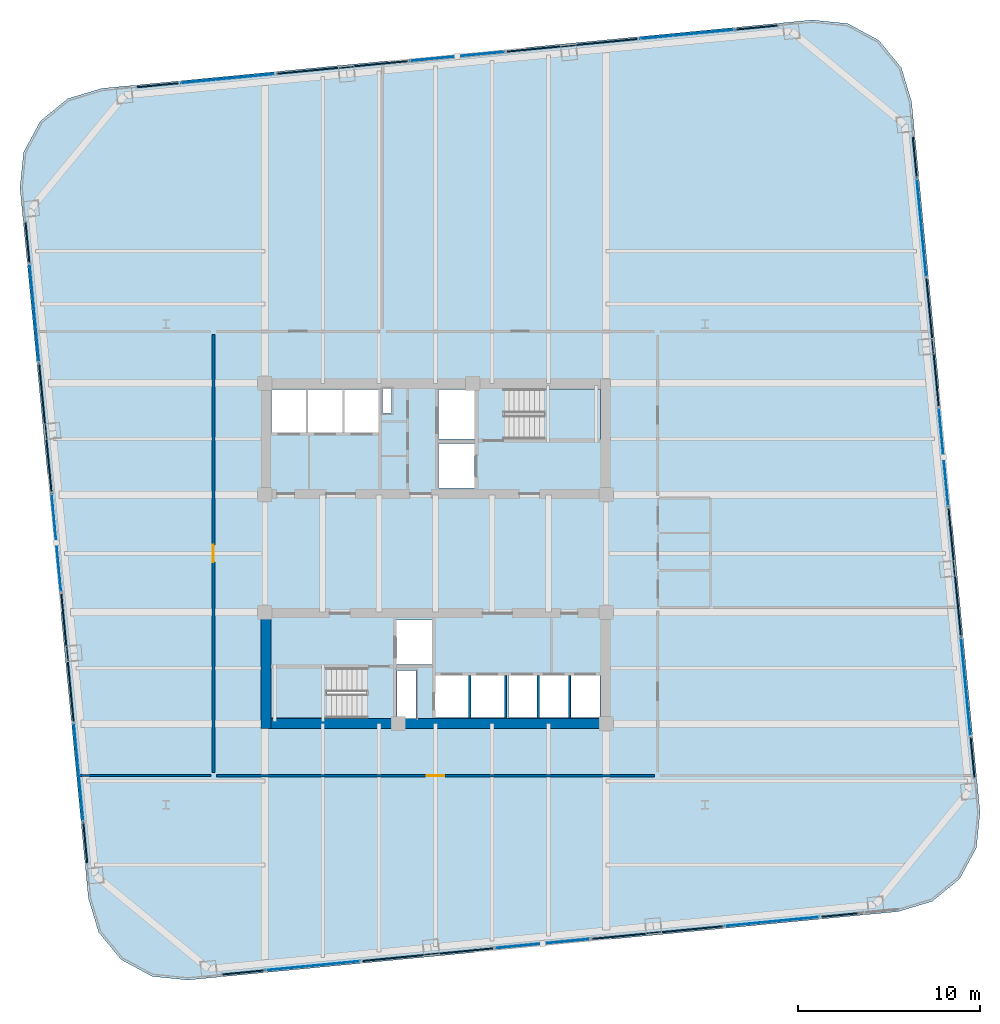
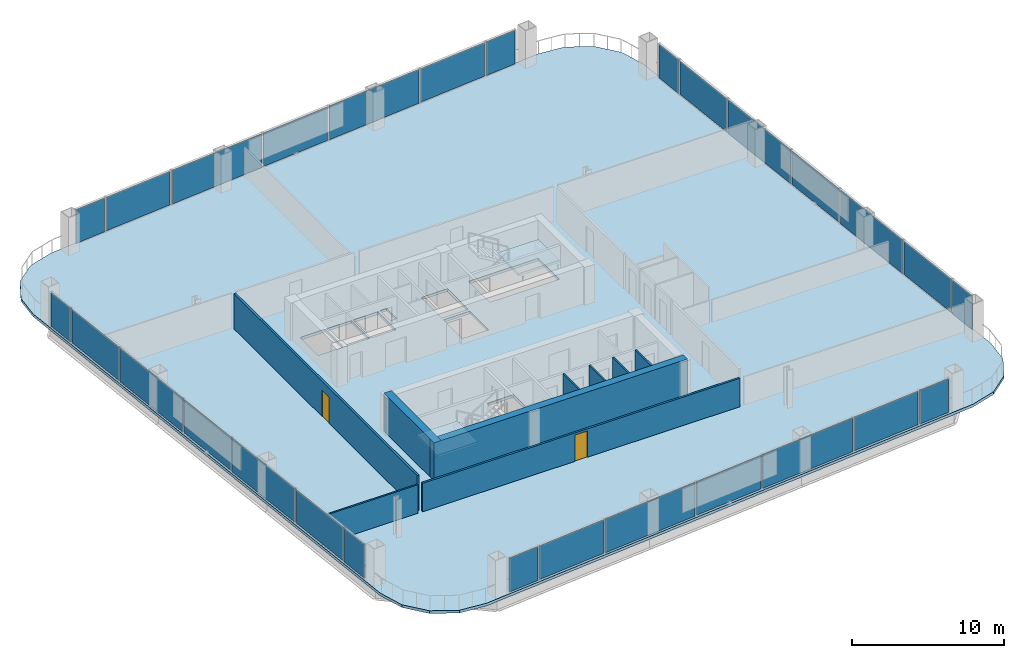
# One storey, part 21 of 26: 28 plates, 9 walls, 3 slabs, 2 doors, 2 openings, 30 elements without a shape of their own.
"""IFC4 building model written with IfcOpenShell, lengths in metres."""

from ifc_helpers import new_model, si_unit, direction, frame, frame_2d, origin, origin_2d, place, context, subcontext, project, spatial, polyline, rectangle, outline, extrude, material, layer, layer_set, type_object, element, fill, aggregate, save


model = new_model("IFC4")

# Units and contexts
model_context = context("Model", 3, precision=1e-05, world=origin(), true_north=direction((0.0, 1.0)))
body_context = subcontext(model_context, "Body", "Model", "MODEL_VIEW")
ifc_project = project(units=[si_unit("LENGTHUNIT", "METRE"), si_unit("AREAUNIT", "SQUARE_METRE"), si_unit("VOLUMEUNIT", "CUBIC_METRE"), si_unit("PLANEANGLEUNIT", "RADIAN"), si_unit("MASSUNIT", "GRAM", prefix="KILO")], contexts=[model_context])

# Site, building, storey
site_placement = place(None, origin())
site = spatial("IfcSite", under=ifc_project, at=site_placement, CompositionType="ELEMENT")
building_placement = place(site_placement, origin())
building = spatial("IfcBuilding", under=site, at=building_placement, Name="Qhalaya Broadcast Tower", CompositionType="ELEMENT")
storey_placement = place(building_placement, frame((0.0, 0.0, 72.5)))
storey = spatial("IfcBuildingStorey", under=building, at=storey_placement, Name="L20", CompositionType="ELEMENT", Elevation=72.5)

# Curtain wall, plate
ifc_material_1 = material(Name="Fired Architectural Terracotta", Category="masonry")
ifc_layer_1 = layer(ifc_material_1, 0.219970703125, Name="Fired Architectural Terracotta")
ifc_layer_set_1 = layer_set([ifc_layer_1], Name="Fired Architectural Terracotta")
curtain_wall_type_1 = type_object("IfcCurtainWallType", Name="Block-Cap Unitised Terracotta Spandrel Wall CW-07", PredefinedType="NOTDEFINED", material=ifc_layer_set_1)
curtain_wall_1_placement = place(storey_placement, origin())
curtain_wall_1 = element("IfcCurtainWall", 1, at=curtain_wall_1_placement, inside=storey, type_object=curtain_wall_type_1, Name="L20 Unitised Curtain Wall L20-CW-S1", PredefinedType="NOTDEFINED")
ifc_layer_2 = layer(ifc_material_1, 0.080078125, Name="Fired Architectural Terracotta")
ifc_layer_set_2 = layer_set([ifc_layer_2], Name="Fired Architectural Terracotta")
plate_type_1 = type_object("IfcPlateType", Name="Insulated Terracotta Spandrel Panel TSP-07", PredefinedType="CURTAIN_PANEL", material=ifc_layer_set_2)
plate_1_placement = place(storey_placement, frame((-10.572021484375, -22.412109375, 0.0751953125), z_axis=(0.0, 0.0, 1.0), x_axis=(0.99539620774, 0.09584565518, 0.0)))
plate_1 = element("IfcPlate", 2, at=plate_1_placement, type_object=plate_type_1, Name="CW-07 panel 1.1", PredefinedType="CURTAIN_PANEL", context=body_context, shape_type="SweptSolid", body=[
    extrude(rectangle(XDim=2.281005859375, YDim=0.080078125, at=origin_2d()), origin(), (0.0, 0.0, 1.0), 2.679931640625),
])
aggregate(curtain_wall_1, [plate_1])

curtain_wall_2_placement = place(storey_placement, origin())
curtain_wall_2 = element("IfcCurtainWall", 3, at=curtain_wall_2_placement, inside=storey, type_object=curtain_wall_type_1, Name="L20 Unitised Curtain Wall L20-CW-S3", PredefinedType="NOTDEFINED")
plate_2_placement = place(storey_placement, frame((-0.41796875, -21.434326171875, 0.0751953125), z_axis=(0.0, 0.0, 1.0), x_axis=(0.995396450907, 0.095843129762, 0.0)))
plate_2 = element("IfcPlate", 4, at=plate_2_placement, type_object=plate_type_1, Name="CW-07 panel 1.1", PredefinedType="CURTAIN_PANEL", context=body_context, shape_type="SweptSolid", body=[
    extrude(rectangle(XDim=7.2109375, YDim=0.080078125, at=origin_2d()), origin(), (0.0, 0.0, 1.0), 2.679931640625),
])
aggregate(curtain_wall_2, [plate_2])

curtain_wall_3_placement = place(storey_placement, origin())
curtain_wall_3 = element("IfcCurtainWall", 5, at=curtain_wall_3_placement, inside=storey, type_object=curtain_wall_type_1, Name="L20 Unitised Curtain Wall L20-CW-S5", PredefinedType="NOTDEFINED")
plate_3_placement = place(storey_placement, frame((12.190673828125, -20.22021484375, 0.0751953125), z_axis=(0.0, 0.0, 1.0), x_axis=(0.995396450907, 0.095843129762, 0.0)))
plate_3 = element("IfcPlate", 6, at=plate_3_placement, type_object=plate_type_1, Name="CW-07 panel 1.1", PredefinedType="CURTAIN_PANEL", context=body_context, shape_type="SweptSolid", body=[
    extrude(rectangle(XDim=7.2109375, YDim=0.080078125, at=origin_2d()), origin(), (0.0, 0.0, 1.0), 2.679931640625),
])
aggregate(curtain_wall_3, [plate_3])

curtain_wall_4_placement = place(storey_placement, origin())
curtain_wall_4 = element("IfcCurtainWall", 7, at=curtain_wall_4_placement, inside=storey, type_object=curtain_wall_type_1, Name="L20 Unitised Curtain Wall L20-CW-S7", PredefinedType="NOTDEFINED")
plate_4_placement = place(storey_placement, frame((22.3447265625, -19.242431640625, 0.0751953125), z_axis=(0.0, 0.0, 1.0), x_axis=(0.99539620774, 0.09584565518, 0.0)))
plate_4 = element("IfcPlate", 8, at=plate_4_placement, type_object=plate_type_1, Name="CW-07 panel 1.1", PredefinedType="CURTAIN_PANEL", context=body_context, shape_type="SweptSolid", body=[
    extrude(rectangle(XDim=2.281005859375, YDim=0.080078125, at=origin_2d()), origin(), (0.0, 0.0, 1.0), 2.679931640625),
])
aggregate(curtain_wall_4, [plate_4])

curtain_wall_5_placement = place(storey_placement, origin())
curtain_wall_5 = element("IfcCurtainWall", 9, at=curtain_wall_5_placement, inside=storey, type_object=curtain_wall_type_1, Name="L20 Unitised Curtain Wall L20-CW-E1", PredefinedType="NOTDEFINED")
plate_5_placement = place(storey_placement, frame((29.496337890625, -10.617431640625, 0.0751953125), z_axis=(0.0, 0.0, 1.0), x_axis=(-0.095855723819, 0.99539523819, 0.0)))
plate_5 = element("IfcPlate", 10, at=plate_5_placement, type_object=plate_type_1, Name="CW-07 panel 1.1", PredefinedType="CURTAIN_PANEL", context=body_context, shape_type="SweptSolid", body=[
    extrude(rectangle(XDim=2.18994140625, YDim=0.080078125, at=origin_2d()), origin(), (0.0, 0.0, 1.0), 2.679931640625),
])
aggregate(curtain_wall_5, [plate_5])

curtain_wall_6_placement = place(storey_placement, origin())
curtain_wall_6 = element("IfcCurtainWall", 11, at=curtain_wall_6_placement, inside=storey, type_object=curtain_wall_type_1, Name="L20 Unitised Curtain Wall L20-CW-E3", PredefinedType="NOTDEFINED")
plate_6_placement = place(storey_placement, frame((28.514404296875, -0.41796875, 0.0751953125), z_axis=(0.0, 0.0, 1.0), x_axis=(-0.095850652435, 0.995395726547, 0.0)))
plate_6 = element("IfcPlate", 12, at=plate_6_placement, type_object=plate_type_1, Name="CW-07 panel 1.1", PredefinedType="CURTAIN_PANEL", context=body_context, shape_type="SweptSolid", body=[
    extrude(rectangle(XDim=7.031005859375, YDim=0.080078125, at=origin_2d()), origin(), (0.0, 0.0, 1.0), 2.679931640625),
])
aggregate(curtain_wall_6, [plate_6])

curtain_wall_7_placement = place(storey_placement, origin())
curtain_wall_7 = element("IfcCurtainWall", 13, at=curtain_wall_7_placement, inside=storey, type_object=curtain_wall_type_1, Name="L20 Unitised Curtain Wall L20-CW-E5", PredefinedType="NOTDEFINED")
plate_7_placement = place(storey_placement, frame((27.30029296875, 12.190673828125, 0.0751953125), z_axis=(0.0, 0.0, 1.0), x_axis=(-0.095850652435, 0.995395726547, 0.0)))
plate_7 = element("IfcPlate", 14, at=plate_7_placement, type_object=plate_type_1, Name="CW-07 panel 1.1", PredefinedType="CURTAIN_PANEL", context=body_context, shape_type="SweptSolid", body=[
    extrude(rectangle(XDim=7.031005859375, YDim=0.080078125, at=origin_2d()), origin(), (0.0, 0.0, 1.0), 2.679931640625),
])
aggregate(curtain_wall_7, [plate_7])

curtain_wall_8_placement = place(storey_placement, origin())
curtain_wall_8 = element("IfcCurtainWall", 15, at=curtain_wall_8_placement, inside=storey, type_object=curtain_wall_type_1, Name="L20 Unitised Curtain Wall L20-CW-E7", PredefinedType="NOTDEFINED")
plate_8_placement = place(storey_placement, frame((26.318115234375, 22.389892578125, 0.0751953125), z_axis=(0.0, 0.0, 1.0), x_axis=(-0.09585164641, 0.995395630832, 0.0)))
plate_8 = element("IfcPlate", 16, at=plate_8_placement, type_object=plate_type_1, Name="CW-07 panel 1.1", PredefinedType="CURTAIN_PANEL", context=body_context, shape_type="SweptSolid", body=[
    extrude(rectangle(XDim=2.190185546875, YDim=0.080078125, at=origin_2d()), origin(), (0.0, 0.0, 1.0), 2.679931640625),
])
aggregate(curtain_wall_8, [plate_8])

curtain_wall_9_placement = place(storey_placement, origin())
curtain_wall_9 = element("IfcCurtainWall", 17, at=curtain_wall_9_placement, inside=storey, type_object=curtain_wall_type_1, Name="L20 Unitised Curtain Wall L20-CW-N1", PredefinedType="NOTDEFINED")
plate_9_placement = place(storey_placement, frame((17.652099609375, 29.4921875, 0.0751953125), z_axis=(0.0, 0.0, 1.0), x_axis=(-0.99539620774, -0.09584565518, 0.0)))
plate_9 = element("IfcPlate", 18, at=plate_9_placement, type_object=plate_type_1, Name="CW-07 panel 1.1", PredefinedType="CURTAIN_PANEL", context=body_context, shape_type="SweptSolid", body=[
    extrude(rectangle(XDim=2.281005859375, YDim=0.080078125, at=origin_2d()), origin(), (0.0, 0.0, 1.0), 2.679931640625),
])
aggregate(curtain_wall_9, [plate_9])

curtain_wall_10_placement = place(storey_placement, origin())
curtain_wall_10 = element("IfcCurtainWall", 19, at=curtain_wall_10_placement, inside=storey, type_object=curtain_wall_type_1, Name="L20 Unitised Curtain Wall L20-CW-N3", PredefinedType="NOTDEFINED")
plate_10_placement = place(storey_placement, frame((7.498046875, 28.514404296875, 0.0751953125), z_axis=(0.0, 0.0, 1.0), x_axis=(-0.995396450907, -0.095843129762, 0.0)))
plate_10 = element("IfcPlate", 20, at=plate_10_placement, type_object=plate_type_1, Name="CW-07 panel 1.1", PredefinedType="CURTAIN_PANEL", context=body_context, shape_type="SweptSolid", body=[
    extrude(rectangle(XDim=7.2109375, YDim=0.080078125, at=origin_2d()), origin(), (0.0, 0.0, 1.0), 2.679931640625),
])
aggregate(curtain_wall_10, [plate_10])

curtain_wall_11_placement = place(storey_placement, origin())
curtain_wall_11 = element("IfcCurtainWall", 21, at=curtain_wall_11_placement, inside=storey, type_object=curtain_wall_type_1, Name="L20 Unitised Curtain Wall L20-CW-N5", PredefinedType="NOTDEFINED")
plate_11_placement = place(storey_placement, frame((-5.110595703125, 27.30029296875, 0.0751953125), z_axis=(0.0, 0.0, 1.0), x_axis=(-0.995396450907, -0.095843129762, 0.0)))
plate_11 = element("IfcPlate", 22, at=plate_11_placement, type_object=plate_type_1, Name="CW-07 panel 1.1", PredefinedType="CURTAIN_PANEL", context=body_context, shape_type="SweptSolid", body=[
    extrude(rectangle(XDim=7.2109375, YDim=0.080078125, at=origin_2d()), origin(), (0.0, 0.0, 1.0), 2.679931640625),
])
aggregate(curtain_wall_11, [plate_11])

curtain_wall_12_placement = place(storey_placement, origin())
curtain_wall_12 = element("IfcCurtainWall", 23, at=curtain_wall_12_placement, inside=storey, type_object=curtain_wall_type_1, Name="L20 Unitised Curtain Wall L20-CW-N7", PredefinedType="NOTDEFINED")
plate_12_placement = place(storey_placement, frame((-15.2646484375, 26.322509765625, 0.0751953125), z_axis=(0.0, 0.0, 1.0), x_axis=(-0.99539620774, -0.09584565518, 0.0)))
plate_12 = element("IfcPlate", 24, at=plate_12_placement, type_object=plate_type_1, Name="CW-07 panel 1.1", PredefinedType="CURTAIN_PANEL", context=body_context, shape_type="SweptSolid", body=[
    extrude(rectangle(XDim=2.281005859375, YDim=0.080078125, at=origin_2d()), origin(), (0.0, 0.0, 1.0), 2.679931640625),
])
aggregate(curtain_wall_12, [plate_12])

curtain_wall_13_placement = place(storey_placement, origin())
curtain_wall_13 = element("IfcCurtainWall", 25, at=curtain_wall_13_placement, inside=storey, type_object=curtain_wall_type_1, Name="L20 Unitised Curtain Wall L20-CW-W1", PredefinedType="NOTDEFINED")
plate_13_placement = place(storey_placement, frame((-22.41650390625, 17.697509765625, 0.0751953125), z_axis=(0.0, 0.0, 1.0), x_axis=(0.095855723819, -0.99539523819, 0.0)))
plate_13 = element("IfcPlate", 26, at=plate_13_placement, type_object=plate_type_1, Name="CW-07 panel 1.1", PredefinedType="CURTAIN_PANEL", context=body_context, shape_type="SweptSolid", body=[
    extrude(rectangle(XDim=2.18994140625, YDim=0.080078125, at=origin_2d()), origin(), (0.0, 0.0, 1.0), 2.679931640625),
])
aggregate(curtain_wall_13, [plate_13])

curtain_wall_14_placement = place(storey_placement, origin())
curtain_wall_14 = element("IfcCurtainWall", 27, at=curtain_wall_14_placement, inside=storey, type_object=curtain_wall_type_1, Name="L20 Unitised Curtain Wall L20-CW-W3", PredefinedType="NOTDEFINED")
plate_14_placement = place(storey_placement, frame((-21.434326171875, 7.498046875, 0.0751953125), z_axis=(0.0, 0.0, 1.0), x_axis=(0.095850652435, -0.995395726547, 0.0)))
plate_14 = element("IfcPlate", 28, at=plate_14_placement, type_object=plate_type_1, Name="CW-07 panel 1.1", PredefinedType="CURTAIN_PANEL", context=body_context, shape_type="SweptSolid", body=[
    extrude(rectangle(XDim=7.031005859375, YDim=0.080078125, at=origin_2d()), origin(), (0.0, 0.0, 1.0), 2.679931640625),
])
aggregate(curtain_wall_14, [plate_14])

curtain_wall_15_placement = place(storey_placement, origin())
curtain_wall_15 = element("IfcCurtainWall", 29, at=curtain_wall_15_placement, inside=storey, type_object=curtain_wall_type_1, Name="L20 Unitised Curtain Wall L20-CW-W5", PredefinedType="NOTDEFINED")
plate_15_placement = place(storey_placement, frame((-20.22021484375, -5.110595703125, 0.0751953125), z_axis=(0.0, 0.0, 1.0), x_axis=(0.095850652435, -0.995395726547, 0.0)))
plate_15 = element("IfcPlate", 30, at=plate_15_placement, type_object=plate_type_1, Name="CW-07 panel 1.1", PredefinedType="CURTAIN_PANEL", context=body_context, shape_type="SweptSolid", body=[
    extrude(rectangle(XDim=7.031005859375, YDim=0.080078125, at=origin_2d()), origin(), (0.0, 0.0, 1.0), 2.679931640625),
])
aggregate(curtain_wall_15, [plate_15])

curtain_wall_16_placement = place(storey_placement, origin())
curtain_wall_16 = element("IfcCurtainWall", 31, at=curtain_wall_16_placement, inside=storey, type_object=curtain_wall_type_1, Name="L20 Unitised Curtain Wall L20-CW-W7", PredefinedType="NOTDEFINED")
plate_16_placement = place(storey_placement, frame((-19.238037109375, -15.31005859375, 0.0751953125), z_axis=(0.0, 0.0, 1.0), x_axis=(0.09585164641, -0.995395630832, 0.0)))
plate_16 = element("IfcPlate", 32, at=plate_16_placement, type_object=plate_type_1, Name="CW-07 panel 1.1", PredefinedType="CURTAIN_PANEL", context=body_context, shape_type="SweptSolid", body=[
    extrude(rectangle(XDim=2.190185546875, YDim=0.080078125, at=origin_2d()), origin(), (0.0, 0.0, 1.0), 2.679931640625),
])
aggregate(curtain_wall_16, [plate_16])

ifc_material_2 = material(Name="Solar-Control Low-E Triple Glazing", Category="glass")
ifc_layer_3 = layer(ifc_material_2, 0.219970703125, Name="Solar-Control Low-E Triple Glazing")
ifc_layer_set_3 = layer_set([ifc_layer_3], Name="Solar-Control Low-E Triple Glazing")
curtain_wall_type_2 = type_object("IfcCurtainWallType", Name="Even-Block 4-Storey Double-Module Curtain Wall CW-03", PredefinedType="NOTDEFINED", material=ifc_layer_set_3)
curtain_wall_17_placement = place(storey_placement, origin())
curtain_wall_17 = element("IfcCurtainWall", 33, at=curtain_wall_17_placement, inside=storey, type_object=curtain_wall_type_2, Name="L20 Unitised Curtain Wall L20-CW-S2", PredefinedType="NOTDEFINED")
ifc_layer_4 = layer(ifc_material_2, 0.035888671875, Name="Solar-Control Low-E Triple Glazing")
ifc_layer_set_4 = layer_set([ifc_layer_4], Name="Solar-Control Low-E Triple Glazing")
plate_type_2 = type_object("IfcPlateType", Name="Solar-Control Curtain Glazing Panel GLP-03", PredefinedType="CURTAIN_PANEL", material=ifc_layer_set_4)
plate_17_placement = place(storey_placement, frame((-6.721923828125, -22.041259765625, 0.0751953125), z_axis=(0.0, 0.0, 1.0), x_axis=(0.995395549991, 0.095852485923, 0.0)))
plate_17 = element("IfcPlate", 34, at=plate_17_placement, type_object=plate_type_2, Name="CW-03 panel 1.1", PredefinedType="CURTAIN_PANEL", context=body_context, shape_type="SweptSolid", body=[
    extrude(rectangle(XDim=5.155029296875, YDim=0.035888671875, at=origin_2d()), origin(), (0.0, 0.0, 1.0), 2.679931640625),
])
aggregate(curtain_wall_17, [plate_17])

curtain_wall_18_placement = place(storey_placement, origin())
curtain_wall_18 = element("IfcCurtainWall", 35, at=curtain_wall_18_placement, inside=storey, type_object=curtain_wall_type_2, Name="L20 Unitised Curtain Wall L20-CW-S4", PredefinedType="NOTDEFINED")
plate_18_placement = place(storey_placement, frame((5.88623046875, -20.827392578125, 0.0751953125), z_axis=(0.0, 0.0, 1.0), x_axis=(0.995395483385, 0.095853177608, 0.0)))
plate_18 = element("IfcPlate", 36, at=plate_18_placement, type_object=plate_type_2, Name="CW-03 panel 1.1", PredefinedType="CURTAIN_PANEL", context=body_context, shape_type="SweptSolid", body=[
    extrude(rectangle(XDim=5.156005859375, YDim=0.035888671875, at=origin_2d()), origin(), (0.0, 0.0, 1.0), 2.679931640625),
])
aggregate(curtain_wall_18, [plate_18])

curtain_wall_19_placement = place(storey_placement, origin())
curtain_wall_19 = element("IfcCurtainWall", 37, at=curtain_wall_19_placement, inside=storey, type_object=curtain_wall_type_2, Name="L20 Unitised Curtain Wall L20-CW-S6", PredefinedType="NOTDEFINED")
plate_19_placement = place(storey_placement, frame((18.494384765625, -19.61328125, 0.0751953125), z_axis=(0.0, 0.0, 1.0), x_axis=(0.995395549991, 0.095852485923, 0.0)))
plate_19 = element("IfcPlate", 38, at=plate_19_placement, type_object=plate_type_2, Name="CW-03 panel 1.1", PredefinedType="CURTAIN_PANEL", context=body_context, shape_type="SweptSolid", body=[
    extrude(rectangle(XDim=5.155029296875, YDim=0.035888671875, at=origin_2d()), origin(), (0.0, 0.0, 1.0), 2.679931640625),
])
aggregate(curtain_wall_19, [plate_19])

curtain_wall_20_placement = place(storey_placement, origin())
curtain_wall_20 = element("IfcCurtainWall", 39, at=curtain_wall_20_placement, inside=storey, type_object=curtain_wall_type_2, Name="L20 Unitised Curtain Wall L20-CW-E2", PredefinedType="NOTDEFINED")
plate_20_placement = place(storey_placement, frame((29.121337890625, -6.722412109375, 0.0751953125), z_axis=(0.0, 0.0, 1.0), x_axis=(-0.095843001098, 0.995396463295, 0.0)))
plate_20 = element("IfcPlate", 40, at=plate_20_placement, type_object=plate_type_2, Name="CW-03 panel 1.1", PredefinedType="CURTAIN_PANEL", context=body_context, shape_type="SweptSolid", body=[
    extrude(rectangle(XDim=5.3359375, YDim=0.035888671875, at=origin_2d()), origin(), (0.0, 0.0, 1.0), 2.679931640625),
])
aggregate(curtain_wall_20, [plate_20])

curtain_wall_21_placement = place(storey_placement, origin())
curtain_wall_21 = element("IfcCurtainWall", 41, at=curtain_wall_21_placement, inside=storey, type_object=curtain_wall_type_2, Name="L20 Unitised Curtain Wall L20-CW-E4", PredefinedType="NOTDEFINED")
plate_21_placement = place(storey_placement, frame((27.9072265625, 5.88623046875, 0.0751953125), z_axis=(0.0, 0.0, 1.0), x_axis=(-0.095843001098, 0.995396463295, 0.0)))
plate_21 = element("IfcPlate", 42, at=plate_21_placement, type_object=plate_type_2, Name="CW-03 panel 1.1", PredefinedType="CURTAIN_PANEL", context=body_context, shape_type="SweptSolid", body=[
    extrude(rectangle(XDim=5.3359375, YDim=0.035888671875, at=origin_2d()), origin(), (0.0, 0.0, 1.0), 2.679931640625),
])
aggregate(curtain_wall_21, [plate_21])

curtain_wall_22_placement = place(storey_placement, origin())
curtain_wall_22 = element("IfcCurtainWall", 43, at=curtain_wall_22_placement, inside=storey, type_object=curtain_wall_type_2, Name="L20 Unitised Curtain Wall L20-CW-E6", PredefinedType="NOTDEFINED")
plate_22_placement = place(storey_placement, frame((26.693115234375, 18.494873046875, 0.0751953125), z_axis=(0.0, 0.0, 1.0), x_axis=(-0.095844740112, 0.99539629585, 0.0)))
plate_22 = element("IfcPlate", 44, at=plate_22_placement, type_object=plate_type_2, Name="CW-03 panel 1.1", PredefinedType="CURTAIN_PANEL", context=body_context, shape_type="SweptSolid", body=[
    extrude(rectangle(XDim=5.3359375, YDim=0.035888671875, at=origin_2d()), origin(), (0.0, 0.0, 1.0), 2.679931640625),
])
aggregate(curtain_wall_22, [plate_22])

curtain_wall_23_placement = place(storey_placement, origin())
curtain_wall_23 = element("IfcCurtainWall", 45, at=curtain_wall_23_placement, inside=storey, type_object=curtain_wall_type_2, Name="L20 Unitised Curtain Wall L20-CW-N2", PredefinedType="NOTDEFINED")
plate_23_placement = place(storey_placement, frame((13.802001953125, 29.121337890625, 0.0751953125), z_axis=(0.0, 0.0, 1.0), x_axis=(-0.995395549991, -0.095852485923, 0.0)))
plate_23 = element("IfcPlate", 46, at=plate_23_placement, type_object=plate_type_2, Name="CW-03 panel 1.1", PredefinedType="CURTAIN_PANEL", context=body_context, shape_type="SweptSolid", body=[
    extrude(rectangle(XDim=5.155029296875, YDim=0.035888671875, at=origin_2d()), origin(), (0.0, 0.0, 1.0), 2.679931640625),
])
aggregate(curtain_wall_23, [plate_23])

curtain_wall_24_placement = place(storey_placement, origin())
curtain_wall_24 = element("IfcCurtainWall", 47, at=curtain_wall_24_placement, inside=storey, type_object=curtain_wall_type_2, Name="L20 Unitised Curtain Wall L20-CW-N4", PredefinedType="NOTDEFINED")
plate_24_placement = place(storey_placement, frame((1.193603515625, 27.9072265625, 0.0751953125), z_axis=(0.0, 0.0, 1.0), x_axis=(-0.995395483385, -0.095853177608, 0.0)))
plate_24 = element("IfcPlate", 48, at=plate_24_placement, type_object=plate_type_2, Name="CW-03 panel 1.1", PredefinedType="CURTAIN_PANEL", context=body_context, shape_type="SweptSolid", body=[
    extrude(rectangle(XDim=5.156005859375, YDim=0.035888671875, at=origin_2d()), origin(), (0.0, 0.0, 1.0), 2.679931640625),
])
aggregate(curtain_wall_24, [plate_24])

curtain_wall_25_placement = place(storey_placement, origin())
curtain_wall_25 = element("IfcCurtainWall", 49, at=curtain_wall_25_placement, inside=storey, type_object=curtain_wall_type_2, Name="L20 Unitised Curtain Wall L20-CW-N6", PredefinedType="NOTDEFINED")
plate_25_placement = place(storey_placement, frame((-11.41455078125, 26.693359375, 0.0751953125), z_axis=(0.0, 0.0, 1.0), x_axis=(-0.995395549991, -0.095852485923, 0.0)))
plate_25 = element("IfcPlate", 50, at=plate_25_placement, type_object=plate_type_2, Name="CW-03 panel 1.1", PredefinedType="CURTAIN_PANEL", context=body_context, shape_type="SweptSolid", body=[
    extrude(rectangle(XDim=5.155029296875, YDim=0.035888671875, at=origin_2d()), origin(), (0.0, 0.0, 1.0), 2.679931640625),
])
aggregate(curtain_wall_25, [plate_25])

curtain_wall_26_placement = place(storey_placement, origin())
curtain_wall_26 = element("IfcCurtainWall", 51, at=curtain_wall_26_placement, inside=storey, type_object=curtain_wall_type_2, Name="L20 Unitised Curtain Wall L20-CW-W2", PredefinedType="NOTDEFINED")
plate_26_placement = place(storey_placement, frame((-22.04150390625, 13.802490234375, 0.0751953125), z_axis=(0.0, 0.0, 1.0), x_axis=(0.095843001098, -0.995396463295, 0.0)))
plate_26 = element("IfcPlate", 52, at=plate_26_placement, type_object=plate_type_2, Name="CW-03 panel 1.1", PredefinedType="CURTAIN_PANEL", context=body_context, shape_type="SweptSolid", body=[
    extrude(rectangle(XDim=5.3359375, YDim=0.035888671875, at=origin_2d()), origin(), (0.0, 0.0, 1.0), 2.679931640625),
])
aggregate(curtain_wall_26, [plate_26])

curtain_wall_27_placement = place(storey_placement, origin())
curtain_wall_27 = element("IfcCurtainWall", 53, at=curtain_wall_27_placement, inside=storey, type_object=curtain_wall_type_2, Name="L20 Unitised Curtain Wall L20-CW-W4", PredefinedType="NOTDEFINED")
plate_27_placement = place(storey_placement, frame((-20.827392578125, 1.193603515625, 0.0751953125), z_axis=(0.0, 0.0, 1.0), x_axis=(0.095843001098, -0.995396463295, 0.0)))
plate_27 = element("IfcPlate", 54, at=plate_27_placement, type_object=plate_type_2, Name="CW-03 panel 1.1", PredefinedType="CURTAIN_PANEL", context=body_context, shape_type="SweptSolid", body=[
    extrude(rectangle(XDim=5.3359375, YDim=0.035888671875, at=origin_2d()), origin(), (0.0, 0.0, 1.0), 2.679931640625),
])
aggregate(curtain_wall_27, [plate_27])

curtain_wall_28_placement = place(storey_placement, origin())
curtain_wall_28 = element("IfcCurtainWall", 55, at=curtain_wall_28_placement, inside=storey, type_object=curtain_wall_type_2, Name="L20 Unitised Curtain Wall L20-CW-W6", PredefinedType="NOTDEFINED")
plate_28_placement = place(storey_placement, frame((-19.61328125, -11.4150390625, 0.0751953125), z_axis=(0.0, 0.0, 1.0), x_axis=(0.095844740112, -0.99539629585, 0.0)))
plate_28 = element("IfcPlate", 56, at=plate_28_placement, type_object=plate_type_2, Name="CW-03 panel 1.1", PredefinedType="CURTAIN_PANEL", context=body_context, shape_type="SweptSolid", body=[
    extrude(rectangle(XDim=5.3359375, YDim=0.035888671875, at=origin_2d()), origin(), (0.0, 0.0, 1.0), 2.679931640625),
])
aggregate(curtain_wall_28, [plate_28])

# Stair, slab
ifc_material_3 = material(Name="Concrete C40/50", Category="concrete")
stair_type = type_object("IfcStairType", Name="Protected Dogleg Core Stair 3150", PredefinedType="TWO_STRAIGHT_RUN_STAIR", material=ifc_material_3)
stair_1_placement = place(storey_placement, origin())
stair_1 = element("IfcStair", 57, at=stair_1_placement, inside=storey, type_object=stair_type, Name="L20 North Core Exit Stair ST-1", PredefinedType="TWO_STRAIGHT_RUN_STAIR")
ifc_layer_5 = layer(ifc_material_3, 0.199951171875, Name="Concrete C40/50")
ifc_layer_set_5 = layer_set([ifc_layer_5], Name="Concrete C40/50")
slab_type_1 = type_object("IfcSlabType", Name="Stair & Ramp Half-Landing Slab 200", PredefinedType="LANDING", material=ifc_layer_set_5)
slab_1_placement = place(storey_placement, frame((0.0, 0.0, 1.324951171875)))
slab_1 = element("IfcSlab", 58, at=slab_1_placement, type_object=slab_type_1, Name="ST-1 landing 1", PredefinedType="LANDING", context=body_context, shape_type="SweptSolid", body=[
    extrude(outline(polyline([(5.955078125, 6.8798828125), (9.050048828125, 6.8798828125), (9.050048828125, 9.639892578125), (5.955078125, 9.639892578125), (5.955078125, 6.8798828125)])), origin(), (0.0, 0.0, 1.0), 0.199951171875),
])
aggregate(stair_1, [slab_1])

stair_2_placement = place(storey_placement, origin())
stair_2 = element("IfcStair", 59, at=stair_2_placement, inside=storey, type_object=stair_type, Name="L20 South Core Exit Stair ST-2", PredefinedType="TWO_STRAIGHT_RUN_STAIR")
slab_2_placement = place(storey_placement, frame((0.0, 0.0, 1.324951171875)))
slab_2 = element("IfcSlab", 60, at=slab_2_placement, type_object=slab_type_1, Name="ST-2 landing 1", PredefinedType="LANDING", context=body_context, shape_type="SweptSolid", body=[
    extrude(outline(polyline([(-5.955078125, -5.679931640625), (-9.050048828125, -5.679931640625), (-9.050048828125, -8.43994140625), (-5.955078125, -8.43994140625), (-5.955078125, -5.679931640625)])), origin(), (0.0, 0.0, 1.0), 0.199951171875),
])
aggregate(stair_2, [slab_2])

# Slab
ifc_layer_6 = layer(ifc_material_3, 0.219970703125, Name="Concrete C40/50")
ifc_layer_set_6 = layer_set([ifc_layer_6], Name="Concrete C40/50")
slab_type_2 = type_object("IfcSlabType", Name="Tower Composite Floor Slab 220", PredefinedType="FLOOR", material=ifc_layer_set_6)
slab_3_placement = place(storey_placement, frame((0.0, 0.0, -0.219970703125)))
element("IfcSlab", 61, at=slab_3_placement, inside=storey, type_object=slab_type_2, Name="L20 Main Structural Floor Slab", PredefinedType="FLOOR", context=body_context, shape_type="SweptSolid", body=[
    extrude(outline(polyline([(25.40771484375, -19.068115234375), (27.275634765625, -18.505859375), (28.78662109375, -17.271484375), (29.7099609375, -15.552978515625), (29.9052734375, -13.612060546875), (26.148193359375, 25.40771484375), (25.5859375, 27.275634765625), (24.3515625, 28.78662109375), (22.633056640625, 29.7099609375), (20.69189453125, 29.9052734375), (-18.32763671875, 26.148193359375), (-20.19580078125, 25.5859375), (-21.70654296875, 24.3515625), (-22.6298828125, 22.633056640625), (-22.8251953125, 20.69189453125), (-19.068115234375, -18.32763671875), (-18.505859375, -20.19580078125), (-17.271484375, -21.70654296875), (-15.552978515625, -22.6298828125), (-13.612060546875, -22.8251953125), (25.40771484375, -19.068115234375)]), holes=[polyline([(3.784912109375, 9.639892578125), (9.050048828125, 9.639892578125), (9.050048828125, 6.8798828125), (3.784912109375, 6.8798828125), (3.784912109375, 9.639892578125)]), polyline([(-3.784912109375, -8.43994140625), (-9.050048828125, -8.43994140625), (-9.050048828125, -5.679931640625), (-3.784912109375, -5.679931640625), (-3.784912109375, -8.43994140625)]), polyline([(0.14990234375, 6.64990234375), (2.14990234375, 6.64990234375), (2.14990234375, 4.199951171875), (0.14990234375, 4.199951171875), (0.14990234375, 6.64990234375)]), polyline([(0.14990234375, 9.60009765625), (2.14990234375, 9.60009765625), (2.14990234375, 6.89990234375), (0.14990234375, 6.89990234375), (0.14990234375, 9.60009765625)]), polyline([(-2.14990234375, -3.050048828125), (-0.14990234375, -3.050048828125), (-0.14990234375, -5.5), (-2.14990234375, -5.5), (-2.14990234375, -3.050048828125)]), polyline([(-9.0, 9.60009765625), (-7.1201171875, 9.60009765625), (-7.1201171875, 7.25), (-9.0, 7.25), (-9.0, 9.60009765625)]), polyline([(-7.0, 9.60009765625), (-5.1201171875, 9.60009765625), (-5.1201171875, 7.25), (-7.0, 7.25), (-7.0, 9.60009765625)]), polyline([(-5.0, 9.60009765625), (-3.1201171875, 9.60009765625), (-3.1201171875, 7.25), (-5.0, 7.25), (-5.0, 9.60009765625)]), polyline([(-0.050048828125, -6.10009765625), (1.830078125, -6.10009765625), (1.830078125, -8.39990234375), (-0.050048828125, -8.39990234375), (-0.050048828125, -6.10009765625)]), polyline([(1.949951171875, -6.10009765625), (3.830078125, -6.10009765625), (3.830078125, -8.39990234375), (1.949951171875, -8.39990234375), (1.949951171875, -6.10009765625)]), polyline([(4.0, -6.10009765625), (5.60009765625, -6.10009765625), (5.60009765625, -8.39990234375), (4.0, -8.39990234375), (4.0, -6.10009765625)]), polyline([(5.719970703125, -6.10009765625), (7.320068359375, -6.10009765625), (7.320068359375, -8.39990234375), (5.719970703125, -8.39990234375), (5.719970703125, -6.10009765625)]), polyline([(7.43994140625, -6.10009765625), (9.0400390625, -6.10009765625), (9.0400390625, -8.39990234375), (7.43994140625, -8.39990234375), (7.43994140625, -6.10009765625)]), polyline([(-2.919921875, 9.659912109375), (-2.419921875, 9.659912109375), (-2.419921875, 8.320068359375), (-2.919921875, 8.320068359375), (-2.919921875, 9.659912109375)]), polyline([(-2.1201171875, -5.820068359375), (-1.080078125, -5.820068359375), (-1.080078125, -8.4599609375), (-2.1201171875, -8.4599609375), (-2.1201171875, -5.820068359375)])]), origin(), (0.0, 0.0, 1.0), 0.219970703125),
])

# Wall, opening, door
ifc_material_4 = material(Name="Gypsum Acoustic Partition")
ifc_layer_7 = layer(ifc_material_4, 0.14990234375, Name="Gypsum Acoustic Partition")
ifc_layer_set_7 = layer_set([ifc_layer_7], Name="Gypsum Acoustic Partition")
wall_type_1 = type_object("IfcWallType", Name="Corridor & Tenancy Acoustic Partition 150", PredefinedType="PARTITIONING", material=ifc_layer_set_7)
wall_1_placement = place(storey_placement, frame((-12.02001953125, -11.60009765625, 0.0), z_axis=(0.0, 0.0, 1.0), x_axis=(1.0, 0.0, 0.0)))
wall_1 = element("IfcWall", 62, at=wall_1_placement, inside=storey, type_object=wall_type_1, Name="L20 Partition Wall W-COR-03", PredefinedType="PARTITIONING", context=body_context, shape_type="SweptSolid", body=[
    extrude(rectangle(XDim=24.0400390625, YDim=0.14990234375, at=frame_2d((12.02001953125, 0.0))), origin(), (0.0, 0.0, 1.0), 2.27392578125),
])
opening_1_placement = place(wall_1_placement, frame((11.544921875, 0.0, 0.0)))
opening_1 = element("IfcOpeningElement", 63, at=opening_1_placement, cuts=wall_1, Name="Opening D10", PredefinedType="OPENING", context=body_context, shape_type="SweptSolid", body=[
    extrude(rectangle(XDim=0.949951171875, YDim=2.10009765625, at=frame_2d((0.47509765625, 1.050048828125))), frame((0.0, 0.0869140625, 0.0), z_axis=(0.0, -1.0, 0.0), x_axis=(1.0, 0.0, 0.0)), (0.0, 0.0, 1.0), 0.173828125),
])
ifc_material_5 = material(Name="Timber Veneer Acoustic Door", Category="wood")
door_type = type_object("IfcDoorType", Name="Cellular Office & Edit Booth Door D10", OperationType="NOTDEFINED", PredefinedType="DOOR", material=ifc_material_5)
door_1_placement = place(opening_1_placement, origin())
door_1 = element("IfcDoor", 64, at=door_1_placement, inside=storey, type_object=door_type, Name="L20 Door D-RM03", OperationType="SINGLE_SWING_RIGHT", OverallHeight=2.10009765625, OverallWidth=0.949951171875, PredefinedType="DOOR", context=body_context, shape_type="SweptSolid", body=[
    extrude(rectangle(XDim=0.949951171875, YDim=2.10009765625, at=frame_2d((0.47509765625, 1.050048828125))), frame((0.0, 0.02490234375, 0.0), z_axis=(0.0, -1.0, 0.0), x_axis=(1.0, 0.0, 0.0)), (0.0, 0.0, 1.0), 0.050048828125),
])
fill(opening_1, door_1)

wall_2_placement = place(storey_placement, frame((-12.199951171875, -11.419921875, 0.0), z_axis=(0.0, 0.0, 1.0), x_axis=(0.0, 1.0, 0.0)))
wall_2 = element("IfcWall", 65, at=wall_2_placement, inside=storey, type_object=wall_type_1, Name="L20 Partition Wall W-COR-04", PredefinedType="PARTITIONING", context=body_context, shape_type="SweptSolid", body=[
    extrude(rectangle(XDim=24.0400390625, YDim=0.14990234375, at=frame_2d((12.02001953125, 0.0))), origin(), (0.0, 0.0, 1.0), 2.830078125),
])
opening_2_placement = place(wall_2_placement, frame((11.544921875, 0.0, 0.0)))
opening_2 = element("IfcOpeningElement", 66, at=opening_2_placement, cuts=wall_2, Name="Opening D10", PredefinedType="OPENING", context=body_context, shape_type="SweptSolid", body=[
    extrude(rectangle(XDim=0.949951171875, YDim=2.10009765625, at=frame_2d((0.47509765625, 1.050048828125))), frame((0.0, 0.0869140625, 0.0), z_axis=(0.0, -1.0, 0.0), x_axis=(1.0, 0.0, 0.0)), (0.0, 0.0, 1.0), 0.173828125),
])
door_2_placement = place(opening_2_placement, origin())
door_2 = element("IfcDoor", 67, at=door_2_placement, inside=storey, type_object=door_type, Name="L20 Door D-RM04", OperationType="SINGLE_SWING_LEFT", OverallHeight=2.10009765625, OverallWidth=0.949951171875, PredefinedType="DOOR", context=body_context, shape_type="SweptSolid", body=[
    extrude(rectangle(XDim=0.949951171875, YDim=2.10009765625, at=frame_2d((0.47509765625, 1.050048828125))), frame((0.0, 0.02490234375, 0.0), z_axis=(0.0, -1.0, 0.0), x_axis=(1.0, 0.0, 0.0)), (0.0, 0.0, 1.0), 0.050048828125),
])
fill(opening_2, door_2)

# Walls
ifc_material_6 = material(Name="Concrete C60/75", Category="concrete")
ifc_layer_8 = layer(ifc_material_6, 0.550048828125, Name="Concrete C60/75")
ifc_layer_set_8 = layer_set([ifc_layer_8], Name="Concrete C60/75")
wall_type_2 = type_object("IfcWallType", Name="Lower Split-Core Shear Wall 550", PredefinedType="SHEAR", material=ifc_layer_set_8)
wall_3_placement = place(storey_placement, frame((-9.60009765625, -8.72509765625, 0.0), z_axis=(0.0, 0.0, 1.0), x_axis=(1.0, 0.0, 0.0)))
element("IfcWall", 68, at=wall_3_placement, inside=storey, type_object=wall_type_2, Name="L20 Split-Core Shear Wall CW-SS", PredefinedType="SHEAR", context=body_context, shape_type="SweptSolid", body=[
    extrude(rectangle(XDim=19.2001953125, YDim=0.550048828125, at=frame_2d((9.60009765625, 0.0))), origin(), (0.0, 0.0, 1.0), 3.050048828125),
])
wall_4_placement = place(storey_placement, frame((-9.324951171875, -9.0, 0.0), z_axis=(0.0, 0.0, 1.0), x_axis=(0.0, 1.0, 0.0)))
element("IfcWall", 69, at=wall_4_placement, inside=storey, type_object=wall_type_2, Name="L20 Split-Core Shear Wall CW-SW", PredefinedType="SHEAR", context=body_context, shape_type="SweptSolid", body=[
    extrude(rectangle(XDim=6.60009765625, YDim=0.550048828125, at=frame_2d((3.300048828125, 0.0))), origin(), (0.0, 0.0, 1.0), 3.050048828125),
])
ifc_layer_9 = layer(ifc_material_4, 0.1201171875, Name="Gypsum Acoustic Partition")
ifc_layer_set_9 = layer_set([ifc_layer_9], Name="Gypsum Acoustic Partition")
wall_type_3 = type_object("IfcWallType", Name="Office, Booth & Sanitary Partition 120", PredefinedType="PARTITIONING", material=ifc_layer_set_9)
for number, where, z_axis, x_axis, name in (
    (70, (1.8798828125, -8.429931640625, 0.0), (0.0, 0.0, 1.0), (0.0, 1.0, 0.0), "L20 Partition Wall SCW-MD4"),
    (71, (3.85009765625, -8.429931640625, 0.0), (0.0, 0.0, 1.0), (0.0, 1.0, 0.0), "L20 Partition Wall SCW-MD5"),
    (72, (5.639892578125, -8.429931640625, 0.0), (0.0, 0.0, 1.0), (0.0, 1.0, 0.0), "L20 Partition Wall SCW-HD6"),
    (73, (7.360107421875, -8.429931640625, 0.0), (0.0, 0.0, 1.0), (0.0, 1.0, 0.0), "L20 Partition Wall SCW-HD7"),
):
    element("IfcWall", number, at=place(storey_placement, frame(where, z_axis=z_axis, x_axis=x_axis)), inside=storey, type_object=wall_type_3, Name=name, PredefinedType="PARTITIONING", context=body_context, shape_type="SweptSolid", body=[
        extrude(rectangle(XDim=2.329833984375, YDim=0.1201171875, at=frame_2d((1.1650390625, 0.0))), origin(), (0.0, 0.0, 1.0), 2.830078125),
    ])
wall_5_placement = place(storey_placement, frame((-19.595458984375, -11.60009765625, 0.0), z_axis=(0.0, 0.0, 1.0), x_axis=(1.0, 0.0, 0.0)))
element("IfcWall", 74, at=wall_5_placement, inside=storey, type_object=wall_type_3, Name="L20 Partition Wall W-BNDW2", PredefinedType="PARTITIONING", context=body_context, shape_type="SweptSolid", body=[
    extrude(rectangle(XDim=7.25537109375, YDim=0.1201171875, at=frame_2d((3.627685546875, 0.0))), origin(), (0.0, 0.0, 1.0), 2.27392578125),
])

save(model, "model.ifc")
